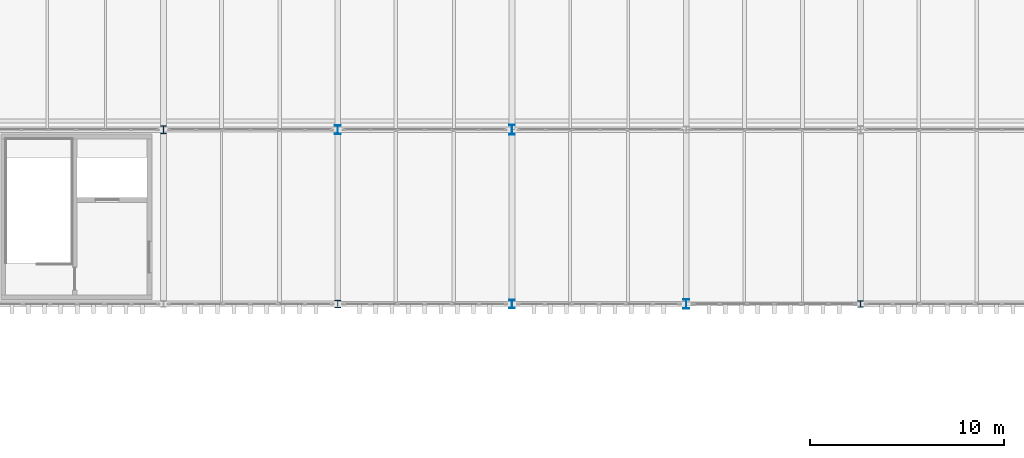
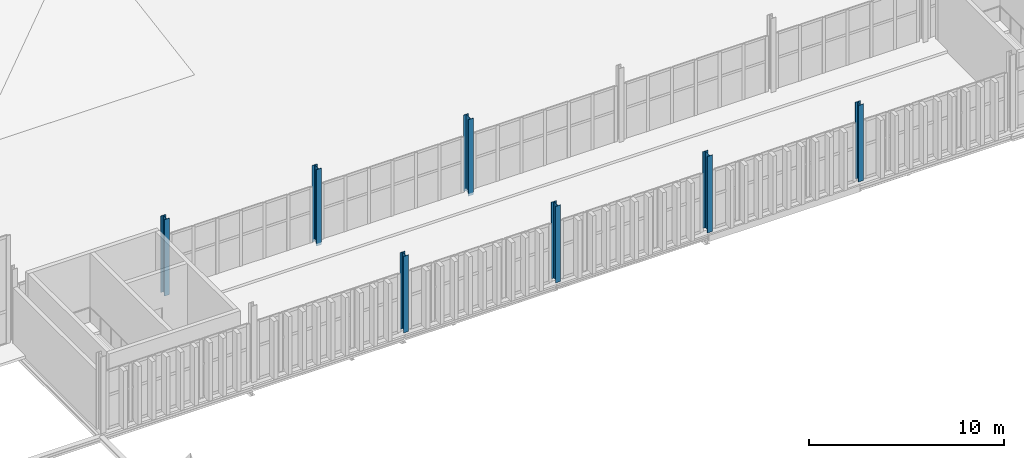
# One storey, part 5 of 196: 7 columns.
"""IFC4 building model written with IfcOpenShell, lengths in metres."""

from ifc_helpers import new_model, si_unit, direction, frame, origin, origin_2d, place, context, subcontext, project, spatial, i_section, extrude, material, material_profile, profile_set, type_object, element, save


model = new_model("IFC4")

# Units and contexts
model_context = context("Model", 3, precision=1e-05, world=origin(), true_north=direction((0.0, 1.0)))
body_context = subcontext(model_context, "Body", "Model", "MODEL_VIEW")
ifc_project = project(units=[si_unit("LENGTHUNIT", "METRE"), si_unit("AREAUNIT", "SQUARE_METRE"), si_unit("VOLUMEUNIT", "CUBIC_METRE"), si_unit("PLANEANGLEUNIT", "RADIAN"), si_unit("MASSUNIT", "GRAM", prefix="KILO")], contexts=[model_context])

# Site, building, storey
site_placement = place(None, origin())
site = spatial("IfcSite", under=ifc_project, at=site_placement, CompositionType="ELEMENT")
building_placement = place(site_placement, origin())
building = spatial("IfcBuilding", under=site, at=building_placement, Name="Barlavento Convention Centre", CompositionType="ELEMENT")
storey_placement = place(building_placement, frame((0.0, 0.0, 18.0)))
storey = spatial("IfcBuildingStorey", under=building, at=storey_placement, Name="L03", CompositionType="ELEMENT", Elevation=18.0)

# Columns
ifc_material = material(Name="Steel S355", Category="steel")
ifc_material_profile_1 = material_profile(ifc_material, i_section(OverallWidth=0.300048828125, OverallDepth=0.340087890625, WebThickness=0.011962890625, FlangeThickness=0.021484375, FilletRadius=0.027099609375, at=origin_2d()), Name="HEB 340")
ifc_profile_set_1 = profile_set([ifc_material_profile_1], Name="Steel S355")
column_type_1 = type_object("IfcColumnType", Name="STR-COL-HEB340", PredefinedType="COLUMN", material=ifc_profile_set_1)
column_placement = place(storey_placement, frame((108.0, 45.0, 0.0), z_axis=(0.0, 0.0, 1.0), x_axis=(1.0, 0.0, 0.0)))
element("IfcColumn", 1, at=column_placement, inside=storey, type_object=column_type_1, Name="L03 column SC12", PredefinedType="COLUMN", context=body_context, shape_type="SweptSolid", body=[
    extrude(i_section(OverallWidth=0.300048828125, OverallDepth=0.340087890625, WebThickness=0.011962890625, FlangeThickness=0.021484375, FilletRadius=0.027099609375, at=origin_2d()), origin(), (0.0, 0.0, 1.0), 4.800048828125),
])
ifc_material_profile_2 = material_profile(ifc_material, i_section(OverallWidth=0.300048828125, OverallDepth=0.39990234375, WebThickness=0.013427734375, FlangeThickness=0.02392578125, FilletRadius=0.027099609375, at=origin_2d()), Name="HEB 400")
ifc_profile_set_2 = profile_set([ifc_material_profile_2], Name="Steel S355")
column_type_2 = type_object("IfcColumnType", Name="STR-COL-HEB400", PredefinedType="COLUMN", material=ifc_profile_set_2)
for number, where, z_axis, x_axis, name in (
    (2, (72.0, 54.0, 0.0), (0.0, 0.0, 1.0), (1.0, 0.0, 0.0), "L03 column SC11"),
    (3, (81.0, 45.0, 0.0), (0.0, 0.0, 1.0), (1.0, 0.0, 0.0), "L03 column SC11"),
):
    element("IfcColumn", number, at=place(storey_placement, frame(where, z_axis=z_axis, x_axis=x_axis)), inside=storey, type_object=column_type_2, Name=name, PredefinedType="COLUMN", context=body_context, shape_type="SweptSolid", body=[
        extrude(i_section(OverallWidth=0.300048828125, OverallDepth=0.39990234375, WebThickness=0.013427734375, FlangeThickness=0.02392578125, FilletRadius=0.027099609375, at=origin_2d()), origin(), (0.0, 0.0, 1.0), 4.800048828125),
    ])
ifc_material_profile_3 = material_profile(ifc_material, i_section(OverallWidth=0.300048828125, OverallDepth=0.449951171875, WebThickness=0.013916015625, FlangeThickness=0.02587890625, FilletRadius=0.027099609375, at=origin_2d()), Name="HEB 450")
ifc_profile_set_3 = profile_set([ifc_material_profile_3], Name="Steel S355")
column_type_3 = type_object("IfcColumnType", Name="STR-COL-HEB450", PredefinedType="COLUMN", material=ifc_profile_set_3)
for number, where, z_axis, x_axis, name in (
    (4, (81.0, 54.0, 0.0), (0.0, 0.0, 1.0), (1.0, 0.0, 0.0), "L03 column SC10"),
    (5, (90.0, 45.0, 0.0), (0.0, 0.0, 1.0), (1.0, 0.0, 0.0), "L03 column SC10"),
):
    element("IfcColumn", number, at=place(storey_placement, frame(where, z_axis=z_axis, x_axis=x_axis)), inside=storey, type_object=column_type_3, Name=name, PredefinedType="COLUMN", context=body_context, shape_type="SweptSolid", body=[
        extrude(i_section(OverallWidth=0.300048828125, OverallDepth=0.449951171875, WebThickness=0.013916015625, FlangeThickness=0.02587890625, FilletRadius=0.027099609375, at=origin_2d()), origin(), (0.0, 0.0, 1.0), 4.800048828125),
    ])
ifc_material_profile_4 = material_profile(ifc_material, i_section(OverallWidth=0.300048828125, OverallDepth=0.5, WebThickness=0.014404296875, FlangeThickness=0.028076171875, FilletRadius=0.027099609375, at=origin_2d()), Name="HEB 500")
ifc_profile_set_4 = profile_set([ifc_material_profile_4], Name="Steel S355")
column_type_4 = type_object("IfcColumnType", Name="STR-COL-HEB500", PredefinedType="COLUMN", material=ifc_profile_set_4)
for number, where, z_axis, x_axis, name in (
    (6, (90.0, 54.0, 0.0), (0.0, 0.0, 1.0), (1.0, 0.0, 0.0), "L03 column SC09"),
    (7, (99.0, 45.0, 0.0), (0.0, 0.0, 1.0), (1.0, 0.0, 0.0), "L03 column SC09"),
):
    element("IfcColumn", number, at=place(storey_placement, frame(where, z_axis=z_axis, x_axis=x_axis)), inside=storey, type_object=column_type_4, Name=name, PredefinedType="COLUMN", context=body_context, shape_type="SweptSolid", body=[
        extrude(i_section(OverallWidth=0.300048828125, OverallDepth=0.5, WebThickness=0.014404296875, FlangeThickness=0.028076171875, FilletRadius=0.027099609375, at=origin_2d()), origin(), (0.0, 0.0, 1.0), 4.800048828125),
    ])

save(model, "model.ifc")
